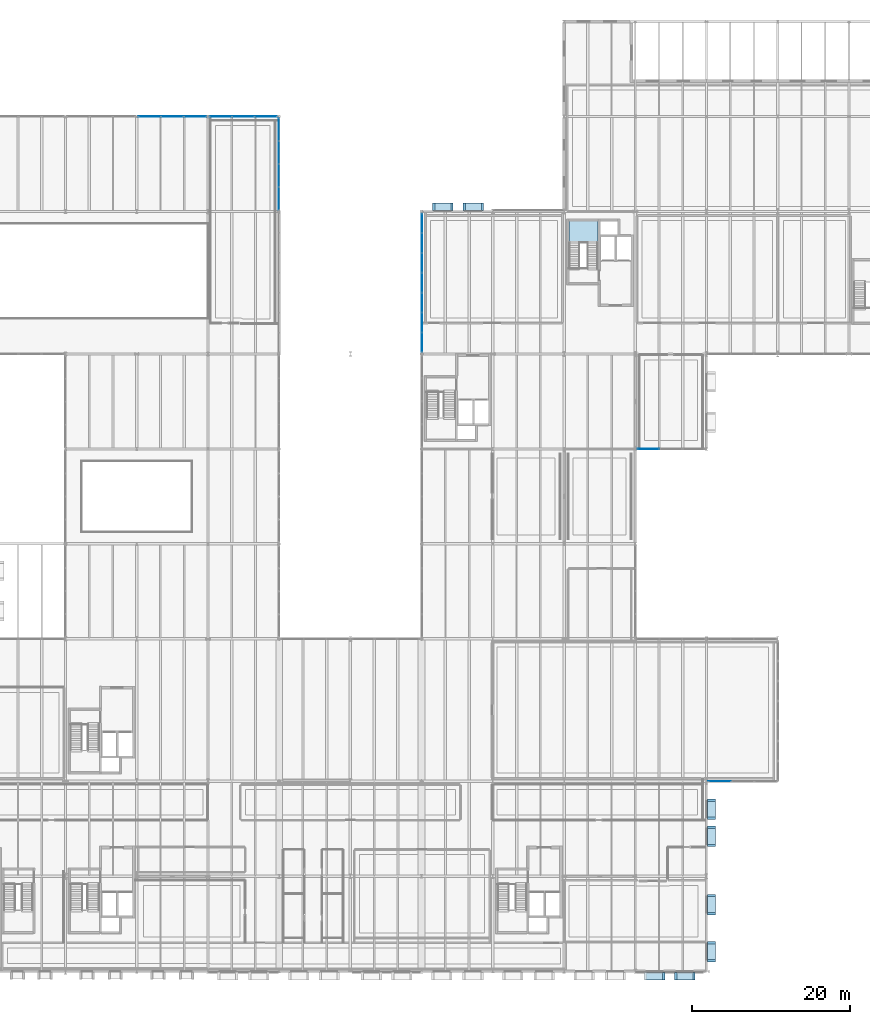
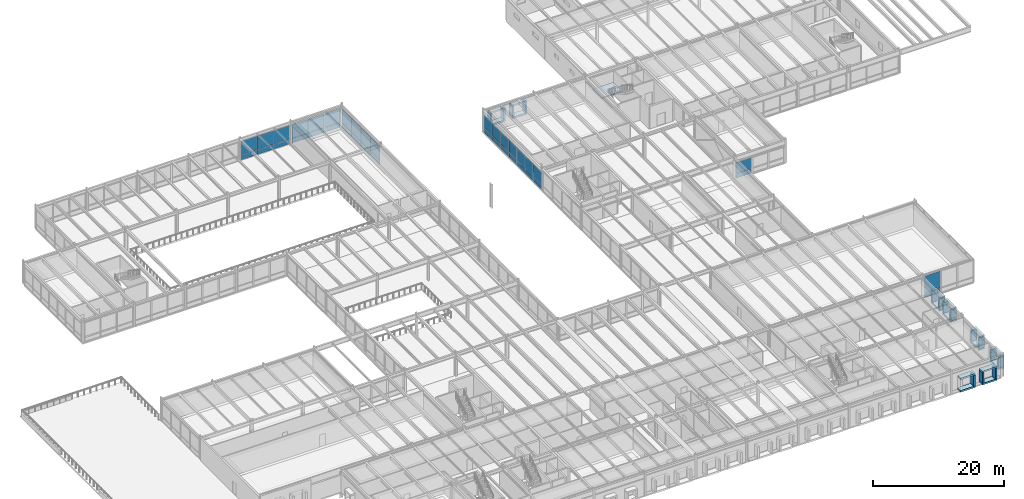
# One storey, part 100 of 127: 69 plates, 1 slab, 7 elements without a shape of their own.
"""IFC4 building model written with IfcOpenShell, lengths in metres."""

from ifc_helpers import new_model, si_unit, direction, frame, origin, origin_2d, place, context, subcontext, project, spatial, polyline, rectangle, outline, extrude, material, layer, layer_set, type_object, element, aggregate, save


model = new_model("IFC4")

# Units and contexts
model_context = context("Model", 3, precision=1e-05, world=origin(), true_north=direction((0.0, 1.0)))
body_context = subcontext(model_context, "Body", "Model", "MODEL_VIEW")
ifc_project = project(units=[si_unit("LENGTHUNIT", "METRE"), si_unit("AREAUNIT", "SQUARE_METRE"), si_unit("VOLUMEUNIT", "CUBIC_METRE"), si_unit("PLANEANGLEUNIT", "RADIAN"), si_unit("MASSUNIT", "GRAM", prefix="KILO")], contexts=[model_context])

# Site, building, storey
site_placement = place(None, origin())
site = spatial("IfcSite", under=ifc_project, at=site_placement, CompositionType="ELEMENT")
building_placement = place(site_placement, origin())
building = spatial("IfcBuilding", under=site, at=building_placement, Name="Montelvaro Courts of Justice", CompositionType="ELEMENT")
storey_placement = place(building_placement, frame((0.0, 0.0, 5.39990234375)))
storey = spatial("IfcBuildingStorey", under=building, at=storey_placement, Name="L01", CompositionType="ELEMENT", Elevation=5.39990234375)

# Curtain wall, plates
ifc_material_1 = material(Name="Anodised aluminium EN AW-6063", Category="aluminium")
ifc_layer_1 = layer(ifc_material_1, 0.159912109375)
ifc_layer_set_1 = layer_set([ifc_layer_1], Name="Anodised aluminium EN AW-6063")
curtain_wall_type_1 = type_object("IfcCurtainWallType", Name="CurtainWall_16_1165x418", PredefinedType="USERDEFINED", material=ifc_layer_set_1)
curtain_wall_1_placement = place(storey_placement, origin())
curtain_wall_1 = element("IfcCurtainWall", 1, at=curtain_wall_1_placement, inside=storey, type_object=curtain_wall_type_1, Name="Curtain Wall CW-16 (L01)", ObjectType="CURTAIN WALL", PredefinedType="USERDEFINED")
ifc_material_2 = material(Name="Acoustic laminated triple glazing", Category="glass")
ifc_layer_2 = layer(ifc_material_2, 0.035888671875)
ifc_layer_set_2 = layer_set([ifc_layer_2], Name="Acoustic laminated triple glazing")
plate_type_1 = type_object("IfcPlateType", Name="CurtainWall_Acoustic_Panel_36", PredefinedType="CURTAIN_PANEL", material=ifc_layer_set_2)
plate_1_placement = place(storey_placement, frame((80.949951171875, 97.647705078125, 0.0751953125), z_axis=(0.0, 0.0, 1.0), x_axis=(0.0, 1.0, 0.0)))
plate_1 = element("IfcPlate", 2, at=plate_1_placement, type_object=plate_type_1, Name="CW-16 panel 1.1", PredefinedType="CURTAIN_PANEL", context=body_context, shape_type="SweptSolid", body=[
    extrude(rectangle(XDim=2.821533203125, YDim=0.035888671875, at=origin_2d()), origin(), (0.0, 0.0, 1.0), 0.83740234375),
])
plate_2_placement = place(storey_placement, frame((80.949951171875, 97.647705078125, 0.98779296875), z_axis=(0.0, 0.0, 1.0), x_axis=(0.0, 1.0, 0.0)))
plate_2 = element("IfcPlate", 3, at=plate_2_placement, type_object=plate_type_1, Name="CW-16 panel 1.2", PredefinedType="CURTAIN_PANEL", context=body_context, shape_type="SweptSolid", body=[
    extrude(rectangle(XDim=2.821533203125, YDim=0.035888671875, at=origin_2d()), origin(), (0.0, 0.0, 1.0), 2.512451171875),
])
plate_3_placement = place(storey_placement, frame((80.949951171875, 100.544189453125, 0.0751953125), z_axis=(0.0, 0.0, 1.0), x_axis=(0.0, 1.0, 0.0)))
plate_3 = element("IfcPlate", 4, at=plate_3_placement, type_object=plate_type_1, Name="CW-16 panel 2.1", PredefinedType="CURTAIN_PANEL", context=body_context, shape_type="SweptSolid", body=[
    extrude(rectangle(XDim=2.8515625, YDim=0.035888671875, at=origin_2d()), origin(), (0.0, 0.0, 1.0), 0.83740234375),
])
plate_4_placement = place(storey_placement, frame((80.949951171875, 100.544189453125, 0.98779296875), z_axis=(0.0, 0.0, 1.0), x_axis=(0.0, 1.0, 0.0)))
plate_4 = element("IfcPlate", 5, at=plate_4_placement, type_object=plate_type_1, Name="CW-16 panel 2.2", PredefinedType="CURTAIN_PANEL", context=body_context, shape_type="SweptSolid", body=[
    extrude(rectangle(XDim=2.8515625, YDim=0.035888671875, at=origin_2d()), origin(), (0.0, 0.0, 1.0), 2.512451171875),
])
plate_5_placement = place(storey_placement, frame((80.949951171875, 103.455810546875, 0.0751953125), z_axis=(0.0, 0.0, 1.0), x_axis=(0.0, 1.0, 0.0)))
plate_5 = element("IfcPlate", 6, at=plate_5_placement, type_object=plate_type_1, Name="CW-16 panel 3.1", PredefinedType="CURTAIN_PANEL", context=body_context, shape_type="SweptSolid", body=[
    extrude(rectangle(XDim=2.8515625, YDim=0.035888671875, at=origin_2d()), origin(), (0.0, 0.0, 1.0), 0.83740234375),
])
plate_6_placement = place(storey_placement, frame((80.949951171875, 103.455810546875, 0.98779296875), z_axis=(0.0, 0.0, 1.0), x_axis=(0.0, 1.0, 0.0)))
plate_6 = element("IfcPlate", 7, at=plate_6_placement, type_object=plate_type_1, Name="CW-16 panel 3.2", PredefinedType="CURTAIN_PANEL", context=body_context, shape_type="SweptSolid", body=[
    extrude(rectangle(XDim=2.8515625, YDim=0.035888671875, at=origin_2d()), origin(), (0.0, 0.0, 1.0), 2.512451171875),
])
plate_7_placement = place(storey_placement, frame((80.949951171875, 106.352294921875, 0.0751953125), z_axis=(0.0, 0.0, 1.0), x_axis=(0.0, 1.0, 0.0)))
plate_7 = element("IfcPlate", 8, at=plate_7_placement, type_object=plate_type_1, Name="CW-16 panel 4.1", PredefinedType="CURTAIN_PANEL", context=body_context, shape_type="SweptSolid", body=[
    extrude(rectangle(XDim=2.821533203125, YDim=0.035888671875, at=origin_2d()), origin(), (0.0, 0.0, 1.0), 0.83740234375),
])
plate_8_placement = place(storey_placement, frame((80.949951171875, 106.352294921875, 0.98779296875), z_axis=(0.0, 0.0, 1.0), x_axis=(0.0, 1.0, 0.0)))
plate_8 = element("IfcPlate", 9, at=plate_8_placement, type_object=plate_type_1, Name="CW-16 panel 4.2", PredefinedType="CURTAIN_PANEL", context=body_context, shape_type="SweptSolid", body=[
    extrude(rectangle(XDim=2.821533203125, YDim=0.035888671875, at=origin_2d()), origin(), (0.0, 0.0, 1.0), 2.512451171875),
])
aggregate(curtain_wall_1, [plate_1, plate_2, plate_3, plate_4, plate_5, plate_6, plate_7, plate_8])

ifc_layer_3 = layer(ifc_material_1, 0.159912109375)
ifc_layer_set_3 = layer_set([ifc_layer_3], Name="Anodised aluminium EN AW-6063")
curtain_wall_type_2 = type_object("IfcCurtainWallType", Name="CurtainWall_18_868x418", PredefinedType="USERDEFINED", material=ifc_layer_set_3)
curtain_wall_2_placement = place(storey_placement, origin())
curtain_wall_2 = element("IfcCurtainWall", 10, at=curtain_wall_2_placement, inside=storey, type_object=curtain_wall_type_2, Name="Curtain Wall CW-18 (L01)", ObjectType="CURTAIN WALL", PredefinedType="USERDEFINED")
plate_9_placement = place(storey_placement, frame((70.3720703125, 108.0, 0.06005859375), z_axis=(0.0, 0.0, 1.0), x_axis=(-1.0, 0.0, 0.0)))
plate_9 = element("IfcPlate", 11, at=plate_9_placement, type_object=plate_type_1, Name="CW-18 panel 1.1", PredefinedType="CURTAIN_PANEL", context=body_context, shape_type="SweptSolid", body=[
    extrude(rectangle(XDim=2.7958984375, YDim=0.035888671875, at=origin_2d()), origin(), (0.0, 0.0, 1.0), 0.860107421875),
])
plate_10_placement = place(storey_placement, frame((70.3720703125, 108.0, 0.980224609375), z_axis=(0.0, 0.0, 1.0), x_axis=(-1.0, 0.0, 0.0)))
plate_10 = element("IfcPlate", 12, at=plate_10_placement, type_object=plate_type_1, Name="CW-18 panel 1.2", PredefinedType="CURTAIN_PANEL", context=body_context, shape_type="SweptSolid", body=[
    extrude(rectangle(XDim=2.7958984375, YDim=0.035888671875, at=origin_2d()), origin(), (0.0, 0.0, 1.0), 2.544921875),
])
plate_11_placement = place(storey_placement, frame((67.4951171875, 108.0, 0.06005859375), z_axis=(0.0, 0.0, 1.0), x_axis=(-1.0, 0.0, 0.0)))
plate_11 = element("IfcPlate", 13, at=plate_11_placement, type_object=plate_type_1, Name="CW-18 panel 2.1", PredefinedType="CURTAIN_PANEL", context=body_context, shape_type="SweptSolid", body=[
    extrude(rectangle(XDim=2.828369140625, YDim=0.035888671875, at=origin_2d()), origin(), (0.0, 0.0, 1.0), 0.860107421875),
])
plate_12_placement = place(storey_placement, frame((67.4951171875, 108.0, 0.980224609375), z_axis=(0.0, 0.0, 1.0), x_axis=(-1.0, 0.0, 0.0)))
plate_12 = element("IfcPlate", 14, at=plate_12_placement, type_object=plate_type_1, Name="CW-18 panel 2.2", PredefinedType="CURTAIN_PANEL", context=body_context, shape_type="SweptSolid", body=[
    extrude(rectangle(XDim=2.828369140625, YDim=0.035888671875, at=origin_2d()), origin(), (0.0, 0.0, 1.0), 2.544921875),
])
plate_13_placement = place(storey_placement, frame((64.617919921875, 108.0, 0.06005859375), z_axis=(0.0, 0.0, 1.0), x_axis=(-1.0, 0.0, 0.0)))
plate_13 = element("IfcPlate", 15, at=plate_13_placement, type_object=plate_type_1, Name="CW-18 panel 3.1", PredefinedType="CURTAIN_PANEL", context=body_context, shape_type="SweptSolid", body=[
    extrude(rectangle(XDim=2.7958984375, YDim=0.035888671875, at=origin_2d()), origin(), (0.0, 0.0, 1.0), 0.860107421875),
])
plate_14_placement = place(storey_placement, frame((64.617919921875, 108.0, 0.980224609375), z_axis=(0.0, 0.0, 1.0), x_axis=(-1.0, 0.0, 0.0)))
plate_14 = element("IfcPlate", 16, at=plate_14_placement, type_object=plate_type_1, Name="CW-18 panel 3.2", PredefinedType="CURTAIN_PANEL", context=body_context, shape_type="SweptSolid", body=[
    extrude(rectangle(XDim=2.7958984375, YDim=0.035888671875, at=origin_2d()), origin(), (0.0, 0.0, 1.0), 2.544921875),
])
aggregate(curtain_wall_2, [plate_9, plate_10, plate_11, plate_12, plate_13, plate_14])

ifc_layer_4 = layer(ifc_material_1, 0.159912109375)
ifc_layer_set_4 = layer_set([ifc_layer_4], Name="Anodised aluminium EN AW-6063")
curtain_wall_type_3 = type_object("IfcCurtainWallType", Name="CurtainWall_22_1761x418", PredefinedType="USERDEFINED", material=ifc_layer_set_4)
curtain_wall_3_placement = place(storey_placement, origin())
curtain_wall_3 = element("IfcCurtainWall", 17, at=curtain_wall_3_placement, inside=storey, type_object=curtain_wall_type_3, Name="Curtain Wall CW-22 (L01)", ObjectType="CURTAIN WALL", PredefinedType="USERDEFINED")
plate_15_placement = place(storey_placement, frame((99.050048828125, 94.53271484375, 0.0751953125), z_axis=(0.0, 0.0, 1.0), x_axis=(0.0, -1.0, 0.0)))
plate_15 = element("IfcPlate", 18, at=plate_15_placement, type_object=plate_type_1, Name="CW-22 panel 1.1", PredefinedType="CURTAIN_PANEL", context=body_context, shape_type="SweptSolid", body=[
    extrude(rectangle(XDim=2.4189453125, YDim=0.035888671875, at=origin_2d()), origin(), (0.0, 0.0, 1.0), 0.83740234375),
])
plate_16_placement = place(storey_placement, frame((99.050048828125, 94.53271484375, 0.98779296875), z_axis=(0.0, 0.0, 1.0), x_axis=(0.0, -1.0, 0.0)))
plate_16 = element("IfcPlate", 19, at=plate_16_placement, type_object=plate_type_1, Name="CW-22 panel 1.2", PredefinedType="CURTAIN_PANEL", context=body_context, shape_type="SweptSolid", body=[
    extrude(rectangle(XDim=2.4189453125, YDim=0.035888671875, at=origin_2d()), origin(), (0.0, 0.0, 1.0), 2.342529296875),
])
plate_17_placement = place(storey_placement, frame((99.050048828125, 92.03271484375, 0.0751953125), z_axis=(0.0, 0.0, 1.0), x_axis=(0.0, -1.0, 0.0)))
plate_17 = element("IfcPlate", 20, at=plate_17_placement, type_object=plate_type_1, Name="CW-22 panel 2.1", PredefinedType="CURTAIN_PANEL", context=body_context, shape_type="SweptSolid", body=[
    extrude(rectangle(XDim=2.451416015625, YDim=0.035888671875, at=origin_2d()), origin(), (0.0, 0.0, 1.0), 0.83740234375),
])
plate_18_placement = place(storey_placement, frame((99.050048828125, 92.03271484375, 0.98779296875), z_axis=(0.0, 0.0, 1.0), x_axis=(0.0, -1.0, 0.0)))
plate_18 = element("IfcPlate", 21, at=plate_18_placement, type_object=plate_type_1, Name="CW-22 panel 2.2", PredefinedType="CURTAIN_PANEL", context=body_context, shape_type="SweptSolid", body=[
    extrude(rectangle(XDim=2.451416015625, YDim=0.035888671875, at=origin_2d()), origin(), (0.0, 0.0, 1.0), 2.342529296875),
])
plate_19_placement = place(storey_placement, frame((99.050048828125, 89.516357421875, 0.0751953125), z_axis=(0.0, 0.0, 1.0), x_axis=(0.0, -1.0, 0.0)))
plate_19 = element("IfcPlate", 22, at=plate_19_placement, type_object=plate_type_1, Name="CW-22 panel 3.1", PredefinedType="CURTAIN_PANEL", context=body_context, shape_type="SweptSolid", body=[
    extrude(rectangle(XDim=2.451416015625, YDim=0.035888671875, at=origin_2d()), origin(), (0.0, 0.0, 1.0), 0.83740234375),
])
plate_20_placement = place(storey_placement, frame((99.050048828125, 89.516357421875, 0.98779296875), z_axis=(0.0, 0.0, 1.0), x_axis=(0.0, -1.0, 0.0)))
plate_20 = element("IfcPlate", 23, at=plate_20_placement, type_object=plate_type_1, Name="CW-22 panel 3.2", PredefinedType="CURTAIN_PANEL", context=body_context, shape_type="SweptSolid", body=[
    extrude(rectangle(XDim=2.451416015625, YDim=0.035888671875, at=origin_2d()), origin(), (0.0, 0.0, 1.0), 2.342529296875),
])
plate_21_placement = place(storey_placement, frame((99.050048828125, 87.0, 0.0751953125), z_axis=(0.0, 0.0, 1.0), x_axis=(0.0, -1.0, 0.0)))
plate_21 = element("IfcPlate", 24, at=plate_21_placement, type_object=plate_type_1, Name="CW-22 panel 4.1", PredefinedType="CURTAIN_PANEL", context=body_context, shape_type="SweptSolid", body=[
    extrude(rectangle(XDim=2.451416015625, YDim=0.035888671875, at=origin_2d()), origin(), (0.0, 0.0, 1.0), 0.83740234375),
])
plate_22_placement = place(storey_placement, frame((99.050048828125, 87.0, 0.98779296875), z_axis=(0.0, 0.0, 1.0), x_axis=(0.0, -1.0, 0.0)))
plate_22 = element("IfcPlate", 25, at=plate_22_placement, type_object=plate_type_1, Name="CW-22 panel 4.2", PredefinedType="CURTAIN_PANEL", context=body_context, shape_type="SweptSolid", body=[
    extrude(rectangle(XDim=2.451416015625, YDim=0.035888671875, at=origin_2d()), origin(), (0.0, 0.0, 1.0), 2.342529296875),
])
plate_23_placement = place(storey_placement, frame((99.050048828125, 84.483642578125, 0.0751953125), z_axis=(0.0, 0.0, 1.0), x_axis=(0.0, -1.0, 0.0)))
plate_23 = element("IfcPlate", 26, at=plate_23_placement, type_object=plate_type_1, Name="CW-22 panel 5.1", PredefinedType="CURTAIN_PANEL", context=body_context, shape_type="SweptSolid", body=[
    extrude(rectangle(XDim=2.451416015625, YDim=0.035888671875, at=origin_2d()), origin(), (0.0, 0.0, 1.0), 0.83740234375),
])
plate_24_placement = place(storey_placement, frame((99.050048828125, 84.483642578125, 0.98779296875), z_axis=(0.0, 0.0, 1.0), x_axis=(0.0, -1.0, 0.0)))
plate_24 = element("IfcPlate", 27, at=plate_24_placement, type_object=plate_type_1, Name="CW-22 panel 5.2", PredefinedType="CURTAIN_PANEL", context=body_context, shape_type="SweptSolid", body=[
    extrude(rectangle(XDim=2.451416015625, YDim=0.035888671875, at=origin_2d()), origin(), (0.0, 0.0, 1.0), 2.342529296875),
])
plate_25_placement = place(storey_placement, frame((99.050048828125, 81.96728515625, 0.0751953125), z_axis=(0.0, 0.0, 1.0), x_axis=(0.0, -1.0, 0.0)))
plate_25 = element("IfcPlate", 28, at=plate_25_placement, type_object=plate_type_1, Name="CW-22 panel 6.1", PredefinedType="CURTAIN_PANEL", context=body_context, shape_type="SweptSolid", body=[
    extrude(rectangle(XDim=2.451416015625, YDim=0.035888671875, at=origin_2d()), origin(), (0.0, 0.0, 1.0), 0.83740234375),
])
plate_26_placement = place(storey_placement, frame((99.050048828125, 81.96728515625, 0.98779296875), z_axis=(0.0, 0.0, 1.0), x_axis=(0.0, -1.0, 0.0)))
plate_26 = element("IfcPlate", 29, at=plate_26_placement, type_object=plate_type_1, Name="CW-22 panel 6.2", PredefinedType="CURTAIN_PANEL", context=body_context, shape_type="SweptSolid", body=[
    extrude(rectangle(XDim=2.451416015625, YDim=0.035888671875, at=origin_2d()), origin(), (0.0, 0.0, 1.0), 2.342529296875),
])
plate_27_placement = place(storey_placement, frame((99.050048828125, 79.46728515625, 0.0751953125), z_axis=(0.0, 0.0, 1.0), x_axis=(0.0, -1.0, 0.0)))
plate_27 = element("IfcPlate", 30, at=plate_27_placement, type_object=plate_type_1, Name="CW-22 panel 7.1", PredefinedType="CURTAIN_PANEL", context=body_context, shape_type="SweptSolid", body=[
    extrude(rectangle(XDim=2.4189453125, YDim=0.035888671875, at=origin_2d()), origin(), (0.0, 0.0, 1.0), 0.83740234375),
])
plate_28_placement = place(storey_placement, frame((99.050048828125, 79.46728515625, 0.98779296875), z_axis=(0.0, 0.0, 1.0), x_axis=(0.0, -1.0, 0.0)))
plate_28 = element("IfcPlate", 31, at=plate_28_placement, type_object=plate_type_1, Name="CW-22 panel 7.2", PredefinedType="CURTAIN_PANEL", context=body_context, shape_type="SweptSolid", body=[
    extrude(rectangle(XDim=2.4189453125, YDim=0.035888671875, at=origin_2d()), origin(), (0.0, 0.0, 1.0), 2.342529296875),
])
aggregate(curtain_wall_3, [plate_15, plate_16, plate_17, plate_18, plate_19, plate_20, plate_21, plate_22, plate_23, plate_24, plate_25, plate_26, plate_27, plate_28])

ifc_layer_5 = layer(ifc_material_1, 0.159912109375)
ifc_layer_set_5 = layer_set([ifc_layer_5], Name="Anodised aluminium EN AW-6063")
curtain_wall_type_4 = type_object("IfcCurtainWallType", Name="CurtainWall_25_879x418", PredefinedType="USERDEFINED", material=ifc_layer_set_5)
curtain_wall_4_placement = place(storey_placement, origin())
curtain_wall_4 = element("IfcCurtainWall", 32, at=curtain_wall_4_placement, inside=storey, type_object=curtain_wall_type_4, Name="Curtain Wall CW-25 (L01)", ObjectType="CURTAIN WALL", PredefinedType="USERDEFINED")
plate_29_placement = place(storey_placement, frame((136.6513671875, 24.0, 0.06005859375), z_axis=(0.0, 0.0, 1.0), x_axis=(1.0, 0.0, 0.0)))
plate_29 = element("IfcPlate", 33, at=plate_29_placement, type_object=plate_type_1, Name="CW-25 panel 1.1", PredefinedType="CURTAIN_PANEL", context=body_context, shape_type="SweptSolid", body=[
    extrude(rectangle(XDim=2.818603515625, YDim=0.035888671875, at=origin_2d()), origin(), (0.0, 0.0, 1.0), 0.860107421875),
])
plate_30_placement = place(storey_placement, frame((136.6513671875, 24.0, 0.97998046875), z_axis=(0.0, 0.0, 1.0), x_axis=(1.0, 0.0, 0.0)))
plate_30 = element("IfcPlate", 34, at=plate_30_placement, type_object=plate_type_1, Name="CW-25 panel 1.2", PredefinedType="CURTAIN_PANEL", context=body_context, shape_type="SweptSolid", body=[
    extrude(rectangle(XDim=2.818603515625, YDim=0.035888671875, at=origin_2d()), origin(), (0.0, 0.0, 1.0), 3.139892578125),
])
aggregate(curtain_wall_4, [plate_29, plate_30])

ifc_layer_6 = layer(ifc_material_1, 0.159912109375)
ifc_layer_set_6 = layer_set([ifc_layer_6], Name="Anodised aluminium EN AW-6063")
curtain_wall_type_5 = type_object("IfcCurtainWallType", Name="CurtainWall_17_861x418", PredefinedType="USERDEFINED", material=ifc_layer_set_6)
curtain_wall_5_placement = place(storey_placement, origin())
curtain_wall_5 = element("IfcCurtainWall", 35, at=curtain_wall_5_placement, inside=storey, type_object=curtain_wall_type_5, Name="Curtain Wall CW-17 (L01)", ObjectType="CURTAIN WALL", PredefinedType="USERDEFINED")
ifc_material_3 = material(Name="Insulated spandrel glazing", Category="glass")
ifc_layer_7 = layer(ifc_material_3, 0.048095703125)
ifc_layer_set_7 = layer_set([ifc_layer_7], Name="Insulated spandrel glazing")
plate_type_2 = type_object("IfcPlateType", Name="CurtainWall_Spandrel_Panel_48", PredefinedType="CURTAIN_PANEL", material=ifc_layer_set_7)
plate_31_placement = place(storey_placement, frame((79.3232421875, 108.0, 0.06005859375), z_axis=(0.0, 0.0, 1.0), x_axis=(-1.0, 0.0, 0.0)))
plate_31 = element("IfcPlate", 36, at=plate_31_placement, type_object=plate_type_2, Name="CW-17 panel 1.1", PredefinedType="CURTAIN_PANEL", context=body_context, shape_type="SweptSolid", body=[
    extrude(rectangle(XDim=2.779296875, YDim=0.048095703125, at=origin_2d()), origin(), (0.0, 0.0, 1.0), 0.860107421875),
])
plate_32_placement = place(storey_placement, frame((79.3232421875, 108.0, 0.980224609375), z_axis=(0.0, 0.0, 1.0), x_axis=(-1.0, 0.0, 0.0)))
plate_32 = element("IfcPlate", 37, at=plate_32_placement, type_object=plate_type_2, Name="CW-17 panel 1.2", PredefinedType="CURTAIN_PANEL", context=body_context, shape_type="SweptSolid", body=[
    extrude(rectangle(XDim=2.779296875, YDim=0.048095703125, at=origin_2d()), origin(), (0.0, 0.0, 1.0), 2.544921875),
])
plate_33_placement = place(storey_placement, frame((76.468994140625, 108.0, 0.06005859375), z_axis=(0.0, 0.0, 1.0), x_axis=(-1.0, 0.0, 0.0)))
plate_33 = element("IfcPlate", 38, at=plate_33_placement, type_object=plate_type_2, Name="CW-17 panel 2.1", PredefinedType="CURTAIN_PANEL", context=body_context, shape_type="SweptSolid", body=[
    extrude(rectangle(XDim=2.809326171875, YDim=0.048095703125, at=origin_2d()), origin(), (0.0, 0.0, 1.0), 0.860107421875),
])
plate_34_placement = place(storey_placement, frame((76.468994140625, 108.0, 0.980224609375), z_axis=(0.0, 0.0, 1.0), x_axis=(-1.0, 0.0, 0.0)))
plate_34 = element("IfcPlate", 39, at=plate_34_placement, type_object=plate_type_2, Name="CW-17 panel 2.2", PredefinedType="CURTAIN_PANEL", context=body_context, shape_type="SweptSolid", body=[
    extrude(rectangle(XDim=2.809326171875, YDim=0.048095703125, at=origin_2d()), origin(), (0.0, 0.0, 1.0), 2.544921875),
])
plate_35_placement = place(storey_placement, frame((73.61474609375, 108.0, 0.06005859375), z_axis=(0.0, 0.0, 1.0), x_axis=(-1.0, 0.0, 0.0)))
plate_35 = element("IfcPlate", 40, at=plate_35_placement, type_object=plate_type_2, Name="CW-17 panel 3.1", PredefinedType="CURTAIN_PANEL", context=body_context, shape_type="SweptSolid", body=[
    extrude(rectangle(XDim=2.779296875, YDim=0.048095703125, at=origin_2d()), origin(), (0.0, 0.0, 1.0), 0.860107421875),
])
plate_36_placement = place(storey_placement, frame((73.61474609375, 108.0, 0.980224609375), z_axis=(0.0, 0.0, 1.0), x_axis=(-1.0, 0.0, 0.0)))
plate_36 = element("IfcPlate", 41, at=plate_36_placement, type_object=plate_type_2, Name="CW-17 panel 3.2", PredefinedType="CURTAIN_PANEL", context=body_context, shape_type="SweptSolid", body=[
    extrude(rectangle(XDim=2.779296875, YDim=0.048095703125, at=origin_2d()), origin(), (0.0, 0.0, 1.0), 2.544921875),
])
aggregate(curtain_wall_5, [plate_31, plate_32, plate_33, plate_34, plate_35, plate_36])

ifc_layer_8 = layer(ifc_material_1, 0.159912109375)
ifc_layer_set_8 = layer_set([ifc_layer_8], Name="Anodised aluminium EN AW-6063")
curtain_wall_type_6 = type_object("IfcCurtainWallType", Name="CurtainWall_14_867x418", PredefinedType="USERDEFINED", material=ifc_layer_set_8)
curtain_wall_6_placement = place(storey_placement, origin())
curtain_wall_6 = element("IfcCurtainWall", 42, at=curtain_wall_6_placement, inside=storey, type_object=curtain_wall_type_6, Name="Curtain Wall CW-14 (L01)", ObjectType="CURTAIN WALL", PredefinedType="USERDEFINED")
plate_37_placement = place(storey_placement, frame((127.628662109375, 66.0, 0.0751953125), z_axis=(0.0, 0.0, 1.0), x_axis=(1.0, 0.0, 0.0)))
plate_37 = element("IfcPlate", 43, at=plate_37_placement, type_object=plate_type_2, Name="CW-14 panel 1.1", PredefinedType="CURTAIN_PANEL", context=body_context, shape_type="SweptSolid", body=[
    extrude(rectangle(XDim=2.777587890625, YDim=0.048095703125, at=origin_2d()), origin(), (0.0, 0.0, 1.0), 0.83740234375),
])
plate_38_placement = place(storey_placement, frame((127.628662109375, 66.0, 0.98779296875), z_axis=(0.0, 0.0, 1.0), x_axis=(1.0, 0.0, 0.0)))
plate_38 = element("IfcPlate", 44, at=plate_38_placement, type_object=plate_type_2, Name="CW-14 panel 1.2", PredefinedType="CURTAIN_PANEL", context=body_context, shape_type="SweptSolid", body=[
    extrude(rectangle(XDim=2.777587890625, YDim=0.048095703125, at=origin_2d()), origin(), (0.0, 0.0, 1.0), 1.952392578125),
])
aggregate(curtain_wall_6, [plate_37, plate_38])

# Plates
ifc_material_4 = material(Name="White mineral precast concrete C45/55", Category="concrete")
ifc_layer_9 = layer(ifc_material_4, 0.300048828125)
ifc_layer_set_9 = layer_set([ifc_layer_9], Name="White mineral precast concrete C45/55")
plate_type_3 = type_object("IfcPlateType", Name="PrecastSquareFrame_300x950", PredefinedType="SHEET", material=ifc_layer_set_9)
for number, where, z_axis, x_axis, name in (
    (45, (105.537109375, 96.6201171875, 2.80029296875), (0.0, 0.0, 1.0), (-1.0, 0.0, 0.0), "Graduated Square Window Frame PF-02 W-L01-044 TOP"),
    (46, (105.537109375, 96.6201171875, 0.5), (0.0, 0.0, 1.0), (-1.0, 0.0, 0.0), "Graduated Square Window Frame PF-02 W-L01-044 BOT"),
):
    element("IfcPlate", number, at=place(storey_placement, frame(where, z_axis=z_axis, x_axis=x_axis)), inside=storey, type_object=plate_type_3, Name=name, PredefinedType="SHEET", context=body_context, shape_type="SweptSolid", body=[
        extrude(rectangle(XDim=2.60009765625, YDim=0.9599609375, at=origin_2d()), origin(), (0.0, 0.0, 1.0), 0.300048828125),
    ])
for number, where, z_axis, x_axis, name in (
    (47, (106.68701171875, 96.6201171875, 0.800048828125), (0.0, 0.0, 1.0), (-1.0, 0.0, 0.0), "Graduated Square Window Frame PF-02 W-L01-044 L"),
    (48, (104.386962890625, 96.6201171875, 0.800048828125), (0.0, 0.0, 1.0), (-1.0, 0.0, 0.0), "Graduated Square Window Frame PF-02 W-L01-044 R"),
):
    element("IfcPlate", number, at=place(storey_placement, frame(where, z_axis=z_axis, x_axis=x_axis)), inside=storey, type_object=plate_type_3, Name=name, PredefinedType="SHEET", context=body_context, shape_type="SweptSolid", body=[
        extrude(rectangle(XDim=0.300048828125, YDim=0.9599609375, at=origin_2d()), origin(), (0.0, 0.0, 1.0), 2.0),
    ])
for number, where, z_axis, x_axis, name in (
    (49, (101.678955078125, 96.6201171875, 2.80029296875), (0.0, 0.0, 1.0), (-1.0, 0.0, 0.0), "Graduated Square Window Frame PF-02 W-L01-045 TOP"),
    (50, (101.678955078125, 96.6201171875, 0.5), (0.0, 0.0, 1.0), (-1.0, 0.0, 0.0), "Graduated Square Window Frame PF-02 W-L01-045 BOT"),
):
    element("IfcPlate", number, at=place(storey_placement, frame(where, z_axis=z_axis, x_axis=x_axis)), inside=storey, type_object=plate_type_3, Name=name, PredefinedType="SHEET", context=body_context, shape_type="SweptSolid", body=[
        extrude(rectangle(XDim=2.60009765625, YDim=0.9599609375, at=origin_2d()), origin(), (0.0, 0.0, 1.0), 0.300048828125),
    ])
for number, where, z_axis, x_axis, name in (
    (51, (102.8291015625, 96.6201171875, 0.800048828125), (0.0, 0.0, 1.0), (-1.0, 0.0, 0.0), "Graduated Square Window Frame PF-02 W-L01-045 L"),
    (52, (100.529052734375, 96.6201171875, 0.800048828125), (0.0, 0.0, 1.0), (-1.0, 0.0, 0.0), "Graduated Square Window Frame PF-02 W-L01-045 R"),
):
    element("IfcPlate", number, at=place(storey_placement, frame(where, z_axis=z_axis, x_axis=x_axis)), inside=storey, type_object=plate_type_3, Name=name, PredefinedType="SHEET", context=body_context, shape_type="SweptSolid", body=[
        extrude(rectangle(XDim=0.300048828125, YDim=0.9599609375, at=origin_2d()), origin(), (0.0, 0.0, 1.0), 2.0),
    ])
for number, where, z_axis, x_axis, name in (
    (53, (128.43994140625, -0.6201171875, 2.80029296875), (0.0, 0.0, 1.0), (1.0, 0.0, 0.0), "Graduated Square Window Frame PF-02 W-L01-072 TOP"),
    (54, (128.43994140625, -0.6201171875, 0.5), (0.0, 0.0, 1.0), (1.0, 0.0, 0.0), "Graduated Square Window Frame PF-02 W-L01-072 BOT"),
):
    element("IfcPlate", number, at=place(storey_placement, frame(where, z_axis=z_axis, x_axis=x_axis)), inside=storey, type_object=plate_type_3, Name=name, PredefinedType="SHEET", context=body_context, shape_type="SweptSolid", body=[
        extrude(rectangle(XDim=2.60009765625, YDim=0.9599609375, at=origin_2d()), origin(), (0.0, 0.0, 1.0), 0.300048828125),
    ])
plate_39_placement = place(storey_placement, frame((129.590087890625, -0.6201171875, 0.800048828125), z_axis=(0.0, 0.0, 1.0), x_axis=(1.0, 0.0, 0.0)))
element("IfcPlate", 55, at=plate_39_placement, inside=storey, type_object=plate_type_3, Name="Graduated Square Window Frame PF-02 W-L01-072 R", PredefinedType="SHEET", context=body_context, shape_type="SweptSolid", body=[
    extrude(rectangle(XDim=0.300048828125, YDim=0.9599609375, at=origin_2d()), origin(), (0.0, 0.0, 1.0), 2.0),
])
for number, where, z_axis, x_axis, name in (
    (56, (132.260009765625, -0.6201171875, 2.80029296875), (0.0, 0.0, 1.0), (1.0, 0.0, 0.0), "Graduated Square Window Frame PF-02 W-L01-073 TOP"),
    (57, (132.260009765625, -0.6201171875, 0.5), (0.0, 0.0, 1.0), (1.0, 0.0, 0.0), "Graduated Square Window Frame PF-02 W-L01-073 BOT"),
):
    element("IfcPlate", number, at=place(storey_placement, frame(where, z_axis=z_axis, x_axis=x_axis)), inside=storey, type_object=plate_type_3, Name=name, PredefinedType="SHEET", context=body_context, shape_type="SweptSolid", body=[
        extrude(rectangle(XDim=2.60009765625, YDim=0.9599609375, at=origin_2d()), origin(), (0.0, 0.0, 1.0), 0.300048828125),
    ])
for number, where, z_axis, x_axis, name in (
    (58, (131.110107421875, -0.6201171875, 0.800048828125), (0.0, 0.0, 1.0), (1.0, 0.0, 0.0), "Graduated Square Window Frame PF-02 W-L01-073 L"),
    (59, (133.409912109375, -0.6201171875, 0.800048828125), (0.0, 0.0, 1.0), (1.0, 0.0, 0.0), "Graduated Square Window Frame PF-02 W-L01-073 R"),
):
    element("IfcPlate", number, at=place(storey_placement, frame(where, z_axis=z_axis, x_axis=x_axis)), inside=storey, type_object=plate_type_3, Name=name, PredefinedType="SHEET", context=body_context, shape_type="SweptSolid", body=[
        extrude(rectangle(XDim=0.300048828125, YDim=0.9599609375, at=origin_2d()), origin(), (0.0, 0.0, 1.0), 2.0),
    ])
for number, where, z_axis, x_axis, name in (
    (60, (135.6201171875, 2.4599609375, 2.80029296875), (0.0, 0.0, 1.0), (0.0, 1.0, 0.0), "Graduated Square Window Frame PF-02 W-L01-074 TOP"),
    (61, (135.6201171875, 2.4599609375, 0.5), (0.0, 0.0, 1.0), (0.0, 1.0, 0.0), "Graduated Square Window Frame PF-02 W-L01-074 BOT"),
):
    element("IfcPlate", number, at=place(storey_placement, frame(where, z_axis=z_axis, x_axis=x_axis)), inside=storey, type_object=plate_type_3, Name=name, PredefinedType="SHEET", context=body_context, shape_type="SweptSolid", body=[
        extrude(rectangle(XDim=2.60009765625, YDim=0.9599609375, at=origin_2d()), origin(), (0.0, 0.0, 1.0), 0.300048828125),
    ])
for number, where, z_axis, x_axis, name in (
    (62, (135.6201171875, 1.31005859375, 0.800048828125), (0.0, 0.0, 1.0), (0.0, 1.0, 0.0), "Graduated Square Window Frame PF-02 W-L01-074 L"),
    (63, (135.6201171875, 3.610107421875, 0.800048828125), (0.0, 0.0, 1.0), (0.0, 1.0, 0.0), "Graduated Square Window Frame PF-02 W-L01-074 R"),
):
    element("IfcPlate", number, at=place(storey_placement, frame(where, z_axis=z_axis, x_axis=x_axis)), inside=storey, type_object=plate_type_3, Name=name, PredefinedType="SHEET", context=body_context, shape_type="SweptSolid", body=[
        extrude(rectangle(XDim=0.300048828125, YDim=0.9599609375, at=origin_2d()), origin(), (0.0, 0.0, 1.0), 2.0),
    ])
for number, where, z_axis, x_axis, name in (
    (64, (135.6201171875, 8.419921875, 2.80029296875), (0.0, 0.0, 1.0), (0.0, 1.0, 0.0), "Graduated Square Window Frame PF-02 W-L01-075 TOP"),
    (65, (135.6201171875, 8.419921875, 0.5), (0.0, 0.0, 1.0), (0.0, 1.0, 0.0), "Graduated Square Window Frame PF-02 W-L01-075 BOT"),
):
    element("IfcPlate", number, at=place(storey_placement, frame(where, z_axis=z_axis, x_axis=x_axis)), inside=storey, type_object=plate_type_3, Name=name, PredefinedType="SHEET", context=body_context, shape_type="SweptSolid", body=[
        extrude(rectangle(XDim=2.60009765625, YDim=0.9599609375, at=origin_2d()), origin(), (0.0, 0.0, 1.0), 0.300048828125),
    ])
for number, where, z_axis, x_axis, name in (
    (66, (135.6201171875, 7.27001953125, 0.800048828125), (0.0, 0.0, 1.0), (0.0, 1.0, 0.0), "Graduated Square Window Frame PF-02 W-L01-075 L"),
    (67, (135.6201171875, 9.570068359375, 0.800048828125), (0.0, 0.0, 1.0), (0.0, 1.0, 0.0), "Graduated Square Window Frame PF-02 W-L01-075 R"),
):
    element("IfcPlate", number, at=place(storey_placement, frame(where, z_axis=z_axis, x_axis=x_axis)), inside=storey, type_object=plate_type_3, Name=name, PredefinedType="SHEET", context=body_context, shape_type="SweptSolid", body=[
        extrude(rectangle(XDim=0.300048828125, YDim=0.9599609375, at=origin_2d()), origin(), (0.0, 0.0, 1.0), 2.0),
    ])
for number, where, z_axis, x_axis, name in (
    (68, (135.6201171875, 17.0400390625, 2.80029296875), (0.0, 0.0, 1.0), (0.0, 1.0, 0.0), "Graduated Square Window Frame PF-02 W-L01-076 TOP"),
    (69, (135.6201171875, 17.0400390625, 0.5), (0.0, 0.0, 1.0), (0.0, 1.0, 0.0), "Graduated Square Window Frame PF-02 W-L01-076 BOT"),
):
    element("IfcPlate", number, at=place(storey_placement, frame(where, z_axis=z_axis, x_axis=x_axis)), inside=storey, type_object=plate_type_3, Name=name, PredefinedType="SHEET", context=body_context, shape_type="SweptSolid", body=[
        extrude(rectangle(XDim=2.60009765625, YDim=0.9599609375, at=origin_2d()), origin(), (0.0, 0.0, 1.0), 0.300048828125),
    ])
for number, where, z_axis, x_axis, name in (
    (70, (135.6201171875, 15.889892578125, 0.800048828125), (0.0, 0.0, 1.0), (0.0, 1.0, 0.0), "Graduated Square Window Frame PF-02 W-L01-076 L"),
    (71, (135.6201171875, 18.18994140625, 0.800048828125), (0.0, 0.0, 1.0), (0.0, 1.0, 0.0), "Graduated Square Window Frame PF-02 W-L01-076 R"),
):
    element("IfcPlate", number, at=place(storey_placement, frame(where, z_axis=z_axis, x_axis=x_axis)), inside=storey, type_object=plate_type_3, Name=name, PredefinedType="SHEET", context=body_context, shape_type="SweptSolid", body=[
        extrude(rectangle(XDim=0.300048828125, YDim=0.9599609375, at=origin_2d()), origin(), (0.0, 0.0, 1.0), 2.0),
    ])
for number, where, z_axis, x_axis, name in (
    (72, (135.6201171875, 20.469970703125, 2.80029296875), (0.0, 0.0, 1.0), (0.0, 1.0, 0.0), "Graduated Square Window Frame PF-02 W-L01-077 TOP"),
    (73, (135.6201171875, 20.469970703125, 0.5), (0.0, 0.0, 1.0), (0.0, 1.0, 0.0), "Graduated Square Window Frame PF-02 W-L01-077 BOT"),
):
    element("IfcPlate", number, at=place(storey_placement, frame(where, z_axis=z_axis, x_axis=x_axis)), inside=storey, type_object=plate_type_3, Name=name, PredefinedType="SHEET", context=body_context, shape_type="SweptSolid", body=[
        extrude(rectangle(XDim=2.60009765625, YDim=0.9599609375, at=origin_2d()), origin(), (0.0, 0.0, 1.0), 0.300048828125),
    ])
for number, where, z_axis, x_axis, name in (
    (74, (135.6201171875, 19.320068359375, 0.800048828125), (0.0, 0.0, 1.0), (0.0, 1.0, 0.0), "Graduated Square Window Frame PF-02 W-L01-077 L"),
    (75, (135.6201171875, 21.6201171875, 0.800048828125), (0.0, 0.0, 1.0), (0.0, 1.0, 0.0), "Graduated Square Window Frame PF-02 W-L01-077 R"),
):
    element("IfcPlate", number, at=place(storey_placement, frame(where, z_axis=z_axis, x_axis=x_axis)), inside=storey, type_object=plate_type_3, Name=name, PredefinedType="SHEET", context=body_context, shape_type="SweptSolid", body=[
        extrude(rectangle(XDim=0.300048828125, YDim=0.9599609375, at=origin_2d()), origin(), (0.0, 0.0, 1.0), 2.0),
    ])

# Stair, slab
ifc_material_5 = material(Name="Concrete C35/45", Category="concrete")
stair_type = type_object("IfcStairType", Name="ProtectedStair_135", PredefinedType="HALF_TURN_STAIR", material=ifc_material_5)
stair_placement = place(storey_placement, origin())
stair = element("IfcStair", 76, at=stair_placement, inside=storey, type_object=stair_type, Name="Protected Stair ST-K3-L01", PredefinedType="HALF_TURN_STAIR")
ifc_layer_10 = layer(ifc_material_5, 0.199951171875)
ifc_layer_set_10 = layer_set([ifc_layer_10], Name="Concrete C35/45")
slab_type = type_object("IfcSlabType", Name="StairLanding_200", PredefinedType="LANDING", material=ifc_layer_set_10)
slab_placement = place(storey_placement, frame((0.0, 0.0, 2.050048828125)))
slab = element("IfcSlab", 77, at=slab_placement, type_object=slab_type, Name="ST-K3-L01 landing 1", PredefinedType="LANDING", context=body_context, shape_type="SweptSolid", body=[
    extrude(outline(polyline([(117.60009765625, 92.06494140625), (121.300048828125, 92.06494140625), (121.300048828125, 94.800048828125), (117.60009765625, 94.800048828125), (117.60009765625, 92.06494140625)])), origin(), (0.0, 0.0, 1.0), 0.199951171875),
])
aggregate(stair, [slab])

save(model, "model.ifc")
